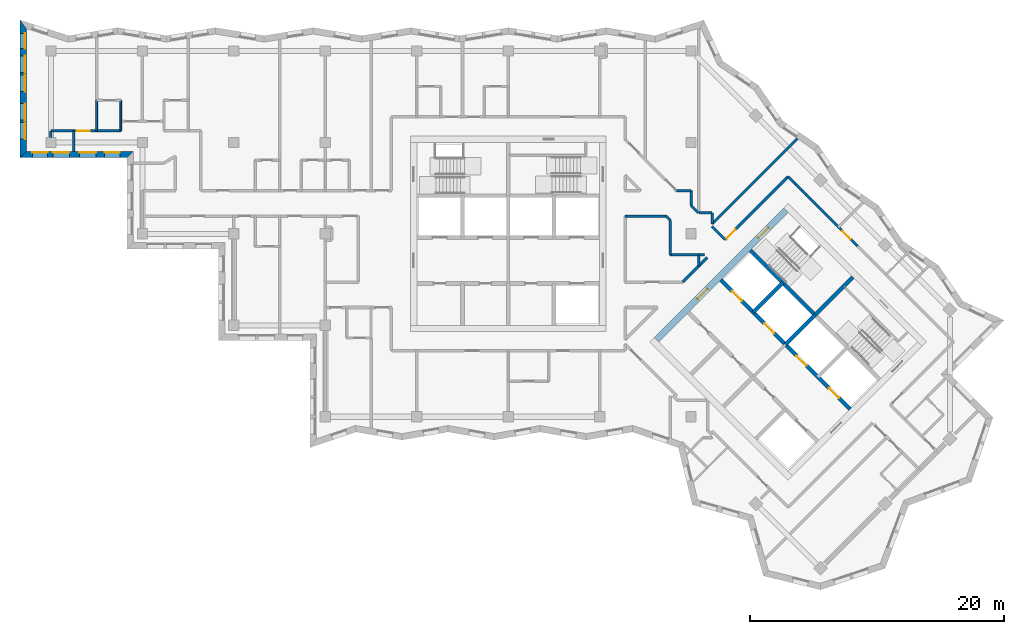
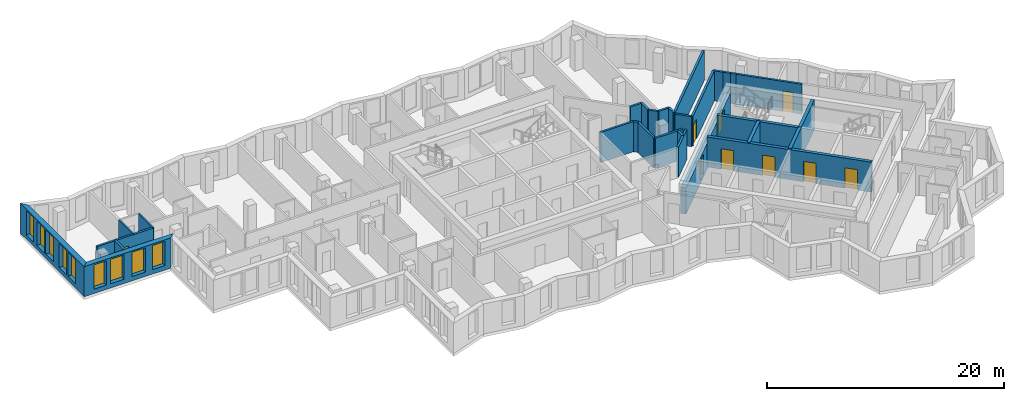
# One storey, part 5 of 12: 32 walls, 9 doors, 9 windows, 18 openings.
"""IFC4 building model written with IfcOpenShell, lengths in metres."""

from ifc_helpers import new_model, si_unit, direction, frame, frame_2d, origin, place, context, subcontext, project, spatial, polyline, rectangle, outline, extrude, material, layer, layer_set, type_object, element, fill, save


model = new_model("IFC4")

# Units and contexts
model_context = context("Model", 3, precision=1e-05, world=origin(), true_north=direction((0.0, 1.0)))
body_context = subcontext(model_context, "Body", "Model", "MODEL_VIEW")
ifc_project = project(units=[si_unit("LENGTHUNIT", "METRE"), si_unit("AREAUNIT", "SQUARE_METRE"), si_unit("VOLUMEUNIT", "CUBIC_METRE"), si_unit("PLANEANGLEUNIT", "RADIAN"), si_unit("MASSUNIT", "GRAM", prefix="KILO")], contexts=[model_context])

# Site, building, storey
site_placement = place(None, origin())
site = spatial("IfcSite", under=ifc_project, at=site_placement, CompositionType="ELEMENT")
building_placement = place(site_placement, origin())
building = spatial("IfcBuilding", under=site, at=building_placement, Name="Windrow Commons", CompositionType="ELEMENT")
storey_placement = place(building_placement, frame((0.0, 0.0, 227.0)))
storey = spatial("IfcBuildingStorey", under=building, at=storey_placement, Name="L62", CompositionType="ELEMENT", Elevation=227.0)

# Wall, openings, windows
ifc_material_1 = material(Name="Brick masonry, red clay brick", Category="masonry")
ifc_layer_1 = layer(ifc_material_1, 0.5)
ifc_layer_set_1 = layer_set([ifc_layer_1], Name="Brick facade wall 500")
wall_type_1 = type_object("IfcWallType", Name="Brick facade wall 500", PredefinedType="SOLIDWALL", material=ifc_layer_set_1)
wall_1_placement = place(storey_placement, frame((26.617, 74.0903, 0.0), z_axis=(0.0, 0.0, 1.0), x_axis=(0.0, -1.0, 0.0)))
wall_1 = element("IfcWall", 1, at=wall_1_placement, inside=storey, type_object=wall_type_1, Name="Brick facade wall L62 31", PredefinedType="SOLIDWALL", context=body_context, shape_type="SweptSolid", body=[
    extrude(outline(polyline([(-0.3427, -0.25), (10.4903, -0.25), (9.9903, 0.25), (0.3427, 0.25), (-0.3427, -0.25)])), origin(), (0.0, 0.0, 1.0), 3.1),
])
opening_1_placement = place(wall_1_placement, frame((2.4903, 0.0, 0.45)))
opening_1 = element("IfcOpeningElement", 2, at=opening_1_placement, cuts=wall_1, Name="Opening W1Q", PredefinedType="OPENING", context=body_context, shape_type="SweptSolid", body=[
    extrude(rectangle(XDim=1.3, YDim=2.5, at=frame_2d((0.65, 1.25))), frame((0.0, 0.26, 0.0), z_axis=(0.0, -1.0, 0.0), x_axis=(1.0, 0.0, 0.0)), (0.0, 0.0, 1.0), 0.52),
])
opening_2_placement = place(wall_1_placement, frame((3.9903, 0.0, 0.45)))
opening_2 = element("IfcOpeningElement", 3, at=opening_2_placement, cuts=wall_1, Name="Opening W1Q", PredefinedType="OPENING", context=body_context, shape_type="SweptSolid", body=[
    extrude(rectangle(XDim=1.3, YDim=2.5, at=frame_2d((0.65, 1.25))), frame((0.0, 0.26, 0.0), z_axis=(0.0, -1.0, 0.0), x_axis=(1.0, 0.0, 0.0)), (0.0, 0.0, 1.0), 0.52),
])
opening_3_placement = place(wall_1_placement, frame((6.2403, 0.0, 0.45)))
opening_3 = element("IfcOpeningElement", 4, at=opening_3_placement, cuts=wall_1, Name="Opening W1Q", PredefinedType="OPENING", context=body_context, shape_type="SweptSolid", body=[
    extrude(rectangle(XDim=1.3, YDim=2.5, at=frame_2d((0.65, 1.25))), frame((0.0, 0.26, 0.0), z_axis=(0.0, -1.0, 0.0), x_axis=(1.0, 0.0, 0.0)), (0.0, 0.0, 1.0), 0.52),
])
opening_4_placement = place(wall_1_placement, frame((7.7403, 0.0, 0.45)))
opening_4 = element("IfcOpeningElement", 5, at=opening_4_placement, cuts=wall_1, Name="Opening W1Q", PredefinedType="OPENING", context=body_context, shape_type="SweptSolid", body=[
    extrude(rectangle(XDim=1.3, YDim=2.5, at=frame_2d((0.65, 1.25))), frame((0.0, 0.26, 0.0), z_axis=(0.0, -1.0, 0.0), x_axis=(1.0, 0.0, 0.0)), (0.0, 0.0, 1.0), 0.52),
])
opening_5_placement = place(wall_1_placement, frame((0.7165, 0.0, 0.45)))
opening_5 = element("IfcOpeningElement", 6, at=opening_5_placement, cuts=wall_1, Name="Opening W7E", PredefinedType="OPENING", context=body_context, shape_type="SweptSolid", body=[
    extrude(rectangle(XDim=1.2, YDim=2.5, at=frame_2d((0.6, 1.25))), frame((0.0, 0.26, 0.0), z_axis=(0.0, -1.0, 0.0), x_axis=(1.0, 0.0, 0.0)), (0.0, 0.0, 1.0), 0.52),
])
ifc_material_2 = material(Name="Clear float glass in anodised aluminium frame", Category="aluminium")
window_type_1 = type_object("IfcWindowType", Name="Window W1Q pair 1300x2500", PartitioningType="SINGLE_PANEL", PredefinedType="WINDOW", material=ifc_material_2)
window_1_placement = place(opening_1_placement, origin())
window_1 = element("IfcWindow", 7, at=window_1_placement, inside=storey, type_object=window_type_1, Name="Window L62 31.1A", OverallHeight=2.5, OverallWidth=1.3, PartitioningType="SINGLE_PANEL", PredefinedType="WINDOW", context=body_context, shape_type="SweptSolid", body=[
    extrude(rectangle(XDim=1.3, YDim=2.5, at=frame_2d((0.65, 1.25))), frame((0.0, 0.18, 0.0), z_axis=(0.0, -1.0, 0.0), x_axis=(1.0, 0.0, 0.0)), (0.0, 0.0, 1.0), 0.06),
])
fill(opening_1, window_1)
window_2_placement = place(opening_2_placement, origin())
window_2 = element("IfcWindow", 8, at=window_2_placement, inside=storey, type_object=window_type_1, Name="Window L62 31.1B", OverallHeight=2.5, OverallWidth=1.3, PartitioningType="SINGLE_PANEL", PredefinedType="WINDOW", context=body_context, shape_type="SweptSolid", body=[
    extrude(rectangle(XDim=1.3, YDim=2.5, at=frame_2d((0.65, 1.25))), frame((0.0, 0.18, 0.0), z_axis=(0.0, -1.0, 0.0), x_axis=(1.0, 0.0, 0.0)), (0.0, 0.0, 1.0), 0.06),
])
fill(opening_2, window_2)
window_3_placement = place(opening_3_placement, origin())
window_3 = element("IfcWindow", 9, at=window_3_placement, inside=storey, type_object=window_type_1, Name="Window L62 31.2A", OverallHeight=2.5, OverallWidth=1.3, PartitioningType="SINGLE_PANEL", PredefinedType="WINDOW", context=body_context, shape_type="SweptSolid", body=[
    extrude(rectangle(XDim=1.3, YDim=2.5, at=frame_2d((0.65, 1.25))), frame((0.0, 0.18, 0.0), z_axis=(0.0, -1.0, 0.0), x_axis=(1.0, 0.0, 0.0)), (0.0, 0.0, 1.0), 0.06),
])
fill(opening_3, window_3)
window_4_placement = place(opening_4_placement, origin())
window_4 = element("IfcWindow", 10, at=window_4_placement, inside=storey, type_object=window_type_1, Name="Window L62 31.2B", OverallHeight=2.5, OverallWidth=1.3, PartitioningType="SINGLE_PANEL", PredefinedType="WINDOW", context=body_context, shape_type="SweptSolid", body=[
    extrude(rectangle(XDim=1.3, YDim=2.5, at=frame_2d((0.65, 1.25))), frame((0.0, 0.18, 0.0), z_axis=(0.0, -1.0, 0.0), x_axis=(1.0, 0.0, 0.0)), (0.0, 0.0, 1.0), 0.06),
])
fill(opening_4, window_4)
ifc_material_3 = material(Name="Clear float glass in anodised aluminium frame", Category="aluminium")
window_type_2 = type_object("IfcWindowType", Name="Window W7 notch 1200x2500", PartitioningType="SINGLE_PANEL", PredefinedType="WINDOW", material=ifc_material_3)
window_5_placement = place(opening_5_placement, origin())
window_5 = element("IfcWindow", 11, at=window_5_placement, inside=storey, type_object=window_type_2, Name="Window L62 31.3", OverallHeight=2.5, OverallWidth=1.2, PartitioningType="SINGLE_PANEL", PredefinedType="WINDOW", context=body_context, shape_type="SweptSolid", body=[
    extrude(rectangle(XDim=1.2, YDim=2.5, at=frame_2d((0.6, 1.25))), frame((0.0, 0.18, 0.0), z_axis=(0.0, -1.0, 0.0), x_axis=(1.0, 0.0, 0.0)), (0.0, 0.0, 1.0), 0.06),
])
fill(opening_5, window_5)

wall_2_placement = place(storey_placement, frame((26.617, 63.85, 0.0), z_axis=(0.0, 0.0, 1.0), x_axis=(1.0, 0.0, 0.0)))
wall_2 = element("IfcWall", 12, at=wall_2_placement, inside=storey, type_object=wall_type_1, Name="Brick facade wall L62 32", PredefinedType="SOLIDWALL", context=body_context, shape_type="SweptSolid", body=[
    extrude(outline(polyline([(-0.25, -0.25), (8.183, -0.25), (8.683, 0.25), (0.25, 0.25), (-0.25, -0.25)])), origin(), (0.0, 0.0, 1.0), 3.1),
])
opening_6_placement = place(wall_2_placement, frame((2.333, 0.0, 0.45)))
opening_6 = element("IfcOpeningElement", 13, at=opening_6_placement, cuts=wall_2, Name="Opening W1Q", PredefinedType="OPENING", context=body_context, shape_type="SweptSolid", body=[
    extrude(rectangle(XDim=1.3, YDim=2.5, at=frame_2d((0.65, 1.25))), frame((0.0, 0.26, 0.0), z_axis=(0.0, -1.0, 0.0), x_axis=(1.0, 0.0, 0.0)), (0.0, 0.0, 1.0), 0.52),
])
opening_7_placement = place(wall_2_placement, frame((4.433, 0.0, 0.45)))
opening_7 = element("IfcOpeningElement", 14, at=opening_7_placement, cuts=wall_2, Name="Opening W1Q", PredefinedType="OPENING", context=body_context, shape_type="SweptSolid", body=[
    extrude(rectangle(XDim=1.3, YDim=2.5, at=frame_2d((0.65, 1.25))), frame((0.0, 0.26, 0.0), z_axis=(0.0, -1.0, 0.0), x_axis=(1.0, 0.0, 0.0)), (0.0, 0.0, 1.0), 0.52),
])
opening_8_placement = place(wall_2_placement, frame((0.7165, 0.0, 0.45)))
opening_8 = element("IfcOpeningElement", 15, at=opening_8_placement, cuts=wall_2, Name="Opening W7E", PredefinedType="OPENING", context=body_context, shape_type="SweptSolid", body=[
    extrude(rectangle(XDim=1.2, YDim=2.5, at=frame_2d((0.6, 1.25))), frame((0.0, 0.26, 0.0), z_axis=(0.0, -1.0, 0.0), x_axis=(1.0, 0.0, 0.0)), (0.0, 0.0, 1.0), 0.52),
])
opening_9_placement = place(wall_2_placement, frame((6.408, 0.0, 0.45)))
opening_9 = element("IfcOpeningElement", 16, at=opening_9_placement, cuts=wall_2, Name="Opening W7E", PredefinedType="OPENING", context=body_context, shape_type="SweptSolid", body=[
    extrude(rectangle(XDim=1.2, YDim=2.5, at=frame_2d((0.6, 1.25))), frame((0.0, 0.26, 0.0), z_axis=(0.0, -1.0, 0.0), x_axis=(1.0, 0.0, 0.0)), (0.0, 0.0, 1.0), 0.52),
])
window_6_placement = place(opening_6_placement, origin())
window_6 = element("IfcWindow", 17, at=window_6_placement, inside=storey, type_object=window_type_1, Name="Window L62 32.1A", OverallHeight=2.5, OverallWidth=1.3, PartitioningType="SINGLE_PANEL", PredefinedType="WINDOW", context=body_context, shape_type="SweptSolid", body=[
    extrude(rectangle(XDim=1.3, YDim=2.5, at=frame_2d((0.65, 1.25))), frame((0.0, 0.18, 0.0), z_axis=(0.0, -1.0, 0.0), x_axis=(1.0, 0.0, 0.0)), (0.0, 0.0, 1.0), 0.06),
])
fill(opening_6, window_6)
window_7_placement = place(opening_7_placement, origin())
window_7 = element("IfcWindow", 18, at=window_7_placement, inside=storey, type_object=window_type_1, Name="Window L62 32.1B", OverallHeight=2.5, OverallWidth=1.3, PartitioningType="SINGLE_PANEL", PredefinedType="WINDOW", context=body_context, shape_type="SweptSolid", body=[
    extrude(rectangle(XDim=1.3, YDim=2.5, at=frame_2d((0.65, 1.25))), frame((0.0, 0.18, 0.0), z_axis=(0.0, -1.0, 0.0), x_axis=(1.0, 0.0, 0.0)), (0.0, 0.0, 1.0), 0.06),
])
fill(opening_7, window_7)
window_8_placement = place(opening_8_placement, origin())
window_8 = element("IfcWindow", 19, at=window_8_placement, inside=storey, type_object=window_type_2, Name="Window L62 32.2", OverallHeight=2.5, OverallWidth=1.2, PartitioningType="SINGLE_PANEL", PredefinedType="WINDOW", context=body_context, shape_type="SweptSolid", body=[
    extrude(rectangle(XDim=1.2, YDim=2.5, at=frame_2d((0.6, 1.25))), frame((0.0, 0.18, 0.0), z_axis=(0.0, -1.0, 0.0), x_axis=(1.0, 0.0, 0.0)), (0.0, 0.0, 1.0), 0.06),
])
fill(opening_8, window_8)
window_9_placement = place(opening_9_placement, origin())
window_9 = element("IfcWindow", 20, at=window_9_placement, inside=storey, type_object=window_type_2, Name="Window L62 32.3", OverallHeight=2.5, OverallWidth=1.2, PartitioningType="SINGLE_PANEL", PredefinedType="WINDOW", context=body_context, shape_type="SweptSolid", body=[
    extrude(rectangle(XDim=1.2, YDim=2.5, at=frame_2d((0.6, 1.25))), frame((0.0, 0.18, 0.0), z_axis=(0.0, -1.0, 0.0), x_axis=(1.0, 0.0, 0.0)), (0.0, 0.0, 1.0), 0.06),
])
fill(opening_9, window_9)

# Wall, opening, door
ifc_material_4 = material(Name="Blockwork partition", Category="masonry")
ifc_layer_2 = layer(ifc_material_4, 0.2)
ifc_layer_set_2 = layer_set([ifc_layer_2], Name="IW-CORRIDOR-200")
wall_type_2 = type_object("IfcWallType", Name="IW-CORRIDOR-200", PredefinedType="PARTITIONING", material=ifc_layer_set_2)
wall_3_placement = place(storey_placement, frame((81.8873, 57.1527, 0.0), z_axis=(0.0, 0.0, 1.0), x_axis=(0.7071067812, 0.7071067812, 0.0)))
wall_3 = element("IfcWall", 21, at=wall_3_placement, inside=storey, type_object=wall_type_2, Name="W-L62-W014", PredefinedType="PARTITIONING", context=body_context, shape_type="SweptSolid", body=[
    extrude(rectangle(XDim=6.9975, YDim=0.2, at=frame_2d((3.4987, 0.0))), origin(), (0.0, 0.0, 1.0), 3.1),
])
opening_10_placement = place(wall_3_placement, frame((0.1358, 0.0, 0.0)))
opening_10 = element("IfcOpeningElement", 22, at=opening_10_placement, cuts=wall_3, Name="Opening D310F", PredefinedType="OPENING", context=body_context, shape_type="SweptSolid", body=[
    extrude(rectangle(XDim=1.0, YDim=2.1, at=frame_2d((0.5, 1.05))), frame((0.0, 0.11, 0.0), z_axis=(0.0, -1.0, 0.0), x_axis=(1.0, 0.0, 0.0)), (0.0, 0.0, 1.0), 0.22),
])
ifc_material_5 = material(Name="Timber door leaf", Category="wood")
door_type_1 = type_object("IfcDoorType", Name="DT-AMENITY-1000", OperationType="SINGLE_SWING_LEFT", PredefinedType="DOOR", material=ifc_material_5)
door_1_placement = place(opening_10_placement, origin())
door_1 = element("IfcDoor", 23, at=door_1_placement, inside=storey, type_object=door_type_1, Name="D-L62-D033", OperationType="SINGLE_SWING_RIGHT", OverallHeight=2.1, OverallWidth=1.0, PredefinedType="DOOR", context=body_context, shape_type="SweptSolid", body=[
    extrude(rectangle(XDim=1.0, YDim=2.1, at=frame_2d((0.5, 1.05))), frame((0.0, 0.025, 0.0), z_axis=(0.0, -1.0, 0.0), x_axis=(1.0, 0.0, 0.0)), (0.0, 0.0, 1.0), 0.05),
])
fill(opening_10, door_1)

wall_4_placement = place(storey_placement, frame((88.2474, 60.6834, 0.0), z_axis=(0.0, 0.0, 1.0), x_axis=(0.7071067812, -0.7071067812, 0.0)))
wall_4 = element("IfcWall", 24, at=wall_4_placement, inside=storey, type_object=wall_type_2, Name="W-L62-W024", PredefinedType="PARTITIONING", context=body_context, shape_type="SweptSolid", body=[
    extrude(rectangle(XDim=5.7417, YDim=0.2, at=frame_2d((2.8708, 0.0))), origin(), (0.0, 0.0, 1.0), 3.1),
])
opening_11_placement = place(wall_4_placement, frame((4.0693, 0.0, 0.0)))
opening_11 = element("IfcOpeningElement", 25, at=opening_11_placement, cuts=wall_4, Name="Opening D109S", PredefinedType="OPENING", context=body_context, shape_type="SweptSolid", body=[
    extrude(rectangle(XDim=0.9, YDim=2.1, at=frame_2d((0.45, 1.05))), frame((0.0, 0.11, 0.0), z_axis=(0.0, -1.0, 0.0), x_axis=(1.0, 0.0, 0.0)), (0.0, 0.0, 1.0), 0.22),
])
ifc_material_6 = material(Name="Timber door leaf", Category="wood")
door_type_2 = type_object("IfcDoorType", Name="DT-BEDROOM-900", OperationType="SINGLE_SWING_LEFT", PredefinedType="DOOR", material=ifc_material_6)
door_2_placement = place(opening_11_placement, origin())
door_2 = element("IfcDoor", 26, at=door_2_placement, inside=storey, type_object=door_type_2, Name="D-L62-D035", OperationType="SINGLE_SWING_RIGHT", OverallHeight=2.1, OverallWidth=0.9, PredefinedType="DOOR", context=body_context, shape_type="SweptSolid", body=[
    extrude(rectangle(XDim=0.9, YDim=2.1, at=frame_2d((0.45, 1.05))), frame((0.0, 0.025, 0.0), z_axis=(0.0, -1.0, 0.0), x_axis=(1.0, 0.0, 0.0)), (0.0, 0.0, 1.0), 0.05),
])
fill(opening_11, door_2)

wall_5_placement = place(storey_placement, frame((30.6, 65.7, 0.0), z_axis=(0.0, 0.0, 1.0), x_axis=(1.0, 0.0, 0.0)))
wall_5 = element("IfcWall", 27, at=wall_5_placement, inside=storey, type_object=wall_type_2, Name="W-L62-W040", PredefinedType="PARTITIONING", context=body_context, shape_type="SweptSolid", body=[
    extrude(rectangle(XDim=3.7, YDim=0.2, at=frame_2d((1.85, 0.0))), origin(), (0.0, 0.0, 1.0), 3.1),
])
opening_12_placement = place(wall_5_placement, frame((0.24, 0.0, 0.0)))
opening_12 = element("IfcOpeningElement", 28, at=opening_12_placement, cuts=wall_5, Name="Opening D310F", PredefinedType="OPENING", context=body_context, shape_type="SweptSolid", body=[
    extrude(rectangle(XDim=1.0, YDim=2.1, at=frame_2d((0.5, 1.05))), frame((0.0, 0.11, 0.0), z_axis=(0.0, -1.0, 0.0), x_axis=(1.0, 0.0, 0.0)), (0.0, 0.0, 1.0), 0.22),
])
door_3_placement = place(opening_12_placement, origin())
door_3 = element("IfcDoor", 29, at=door_3_placement, inside=storey, type_object=door_type_1, Name="D-L62-D014", OperationType="SINGLE_SWING_RIGHT", OverallHeight=2.1, OverallWidth=1.0, PredefinedType="DOOR", context=body_context, shape_type="SweptSolid", body=[
    extrude(rectangle(XDim=1.0, YDim=2.1, at=frame_2d((0.5, 1.05))), frame((0.0, 0.025, 0.0), z_axis=(0.0, -1.0, 0.0), x_axis=(1.0, 0.0, 0.0)), (0.0, 0.0, 1.0), 0.05),
])
fill(opening_12, door_3)

# Walls
wall_6_placement = place(storey_placement, frame((74.002, 59.0, 0.0), z_axis=(0.0, 0.0, 1.0), x_axis=(1.0, 0.0, 0.0)))
element("IfcWall", 30, at=wall_6_placement, inside=storey, type_object=wall_type_2, Name="W-L62-W046", PredefinedType="PARTITIONING", context=body_context, shape_type="SweptSolid", body=[
    extrude(rectangle(XDim=3.206, YDim=0.2, at=frame_2d((1.603, 0.0))), origin(), (0.0, 0.0, 1.0), 3.1),
])
wall_7_placement = place(storey_placement, frame((78.5353, 53.8007, 0.0), z_axis=(0.0, 0.0, 1.0), x_axis=(0.7071067812, 0.7071067812, 0.0)))
element("IfcWall", 31, at=wall_7_placement, inside=storey, type_object=wall_type_2, Name="W-L62-W052", PredefinedType="PARTITIONING", context=body_context, shape_type="SweptSolid", body=[
    extrude(rectangle(XDim=2.7379, YDim=0.2, at=frame_2d((1.3689, 0.0))), origin(), (0.0, 0.0, 1.0), 3.1),
])
for number, where, z_axis, x_axis, name in (
    (32, (77.55, 55.952, 0.0), (0.0, 0.0, 1.0), (0.0, 1.0, 0.0), "W-L62-W053"),
    (33, (77.552, 55.95, 0.0), (0.0, 0.0, 1.0), (1.0, 0.0, 0.0), "W-L62-W054"),
):
    element("IfcWall", number, at=place(storey_placement, frame(where, z_axis=z_axis, x_axis=x_axis)), inside=storey, type_object=wall_type_2, Name=name, PredefinedType="PARTITIONING", context=body_context, shape_type="SweptSolid", body=[
        extrude(rectangle(XDim=2.706, YDim=0.2, at=frame_2d((1.353, 0.0))), origin(), (0.0, 0.0, 1.0), 3.1),
    ])
wall_8_placement = place(storey_placement, frame((30.6, 64.1, 0.0), z_axis=(0.0, 0.0, 1.0), x_axis=(0.0, 1.0, 0.0)))
element("IfcWall", 34, at=wall_8_placement, inside=storey, type_object=wall_type_2, Name="W-L62-W111", PredefinedType="PARTITIONING", context=body_context, shape_type="SweptSolid", body=[
    extrude(rectangle(XDim=1.6, YDim=0.2, at=frame_2d((0.8, 0.0))), origin(), (0.0, 0.0, 1.0), 3.1),
])
wall_9_placement = place(storey_placement, frame((80.8467, 58.1847, 0.0), z_axis=(0.0, 0.0, 1.0), x_axis=(0.7071067812, -0.7071067812, 0.0)))
element("IfcWall", 35, at=wall_9_placement, inside=storey, type_object=wall_type_2, Name="W-L62-W113", PredefinedType="PARTITIONING", context=body_context, shape_type="SweptSolid", body=[
    extrude(rectangle(XDim=1.4651, YDim=0.2, at=frame_2d((0.7326, 0.0))), origin(), (0.0, 0.0, 1.0), 3.1),
])
for number, where, z_axis, x_axis, name in (
    (36, (78.038, 61.0, 0.0), (0.0, 0.0, 1.0), (1.0, 0.0, 0.0), "W-L62-W117"),
    (37, (79.2, 59.838, 0.0), (0.0, 0.0, 1.0), (0.0, 1.0, 0.0), "W-L62-W118"),
):
    element("IfcWall", number, at=place(storey_placement, frame(where, z_axis=z_axis, x_axis=x_axis)), inside=storey, type_object=wall_type_2, Name=name, PredefinedType="PARTITIONING", context=body_context, shape_type="SweptSolid", body=[
        extrude(rectangle(XDim=1.162, YDim=0.2, at=frame_2d((0.581, 0.0))), origin(), (0.0, 0.0, 1.0), 3.1),
    ])
wall_10_placement = place(storey_placement, frame((79.8, 59.25, 0.0), z_axis=(0.0, 0.0, 1.0), x_axis=(1.0, 0.0, 0.0)))
element("IfcWall", 38, at=wall_10_placement, inside=storey, type_object=wall_type_2, Name="W-L62-W119", PredefinedType="PARTITIONING", context=body_context, shape_type="SweptSolid", body=[
    extrude(rectangle(XDim=1.05, YDim=0.2, at=frame_2d((0.525, 0.0))), origin(), (0.0, 0.0, 1.0), 3.1),
])
wall_11_placement = place(storey_placement, frame((80.85, 58.376, 0.0), z_axis=(0.0, 0.0, 1.0), x_axis=(0.0, 1.0, 0.0)))
element("IfcWall", 39, at=wall_11_placement, inside=storey, type_object=wall_type_2, Name="W-L62-W130", PredefinedType="PARTITIONING", context=body_context, shape_type="SweptSolid", body=[
    extrude(rectangle(XDim=0.874, YDim=0.2, at=frame_2d((0.437, 0.0))), origin(), (0.0, 0.0, 1.0), 3.1),
])
wall_12_placement = place(storey_placement, frame((86.8353, 62.0973, 0.0), z_axis=(0.0, 0.0, 1.0), x_axis=(0.7059370453, -0.7082745852, 0.0)))
element("IfcWall", 40, at=wall_12_placement, inside=storey, type_object=wall_type_2, Name="W-L62-W131", PredefinedType="PARTITIONING", context=body_context, shape_type="SweptSolid", body=[
    extrude(rectangle(XDim=0.8556, YDim=0.2, at=frame_2d((0.4278, 0.0))), origin(), (0.0, 0.0, 1.0), 3.1),
])
wall_13_placement = place(storey_placement, frame((79.1967, 59.8347, 0.0), z_axis=(0.0, 0.0, 1.0), x_axis=(0.7071067812, -0.7071067812, 0.0)))
element("IfcWall", 41, at=wall_13_placement, inside=storey, type_object=wall_type_2, Name="W-L62-W134", PredefinedType="PARTITIONING", context=body_context, shape_type="SweptSolid", body=[
    extrude(rectangle(XDim=0.8316, YDim=0.2, at=frame_2d((0.4158, 0.0))), origin(), (0.0, 0.0, 1.0), 3.1),
])
wall_14_placement = place(storey_placement, frame((87.4398, 61.4918, 0.0), z_axis=(0.0, 0.0, 1.0), x_axis=(0.7086591505, -0.7055509963, 0.0)))
element("IfcWall", 42, at=wall_14_placement, inside=storey, type_object=wall_type_2, Name="W-L62-W138", PredefinedType="PARTITIONING", context=body_context, shape_type="SweptSolid", body=[
    extrude(rectangle(XDim=0.6435, YDim=0.2, at=frame_2d((0.3217, 0.0))), origin(), (0.0, 0.0, 1.0), 3.1),
])
wall_15_placement = place(storey_placement, frame((87.8991, 61.0411, 0.0), z_axis=(0.0, 0.0, 1.0), x_axis=(0.7051008166, -0.7091070712, 0.0)))
element("IfcWall", 43, at=wall_15_placement, inside=storey, type_object=wall_type_2, Name="W-L62-W145", PredefinedType="PARTITIONING", context=body_context, shape_type="SweptSolid", body=[
    extrude(rectangle(XDim=0.4992, YDim=0.2, at=frame_2d((0.2496, 0.0))), origin(), (0.0, 0.0, 1.0), 3.1),
])
wall_16_placement = place(storey_placement, frame((77.2135, 59.0035, 0.0), z_axis=(0.0, 0.0, 1.0), x_axis=(0.7071067812, -0.7071067812, 0.0)))
element("IfcWall", 44, at=wall_16_placement, inside=storey, type_object=wall_type_2, Name="W-L62-W149", PredefinedType="PARTITIONING", context=body_context, shape_type="SweptSolid", body=[
    extrude(rectangle(XDim=0.4808, YDim=0.2, at=frame_2d((0.2404, 0.0))), origin(), (0.0, 0.0, 1.0), 3.1),
])
ifc_material_7 = material(Name="Blockwork partition", Category="masonry")
ifc_layer_3 = layer(ifc_material_7, 0.15)
ifc_layer_set_3 = layer_set([ifc_layer_3], Name="IW-ENSUITE-150")
wall_type_3 = type_object("IfcWallType", Name="IW-ENSUITE-150", PredefinedType="PARTITIONING", material=ifc_layer_set_3)
for number, where, z_axis, x_axis, name in (
    (45, (32.4, 65.7, 0.0), (0.0, 0.0, 1.0), (0.0, 1.0, 0.0), "W-L62-W080"),
    (46, (34.3, 65.7, 0.0), (0.0, 0.0, 1.0), (0.0, 1.0, 0.0), "W-L62-W081"),
):
    element("IfcWall", number, at=place(storey_placement, frame(where, z_axis=z_axis, x_axis=x_axis)), inside=storey, type_object=wall_type_3, Name=name, PredefinedType="PARTITIONING", context=body_context, shape_type="SweptSolid", body=[
        extrude(rectangle(XDim=2.4, YDim=0.15, at=frame_2d((1.2, 0.0))), origin(), (0.0, 0.0, 1.0), 3.1),
    ])
ifc_material_8 = material(Name="Blockwork partition", Category="masonry")
ifc_layer_4 = layer(ifc_material_8, 0.2)
ifc_layer_set_4 = layer_set([ifc_layer_4], Name="IW-PARTY-200")
wall_type_4 = type_object("IfcWallType", Name="IW-PARTY-200", PredefinedType="PARTITIONING", material=ifc_layer_set_4)
wall_17_placement = place(storey_placement, frame((80.8489, 58.3771, 0.0), z_axis=(0.0, 0.0, 1.0), x_axis=(0.7071120471, 0.7071015152, 0.0)))
element("IfcWall", 47, at=wall_17_placement, inside=storey, type_object=wall_type_4, Name="W-L62-W007", PredefinedType="PARTITIONING", context=body_context, shape_type="SweptSolid", body=[
    extrude(rectangle(XDim=9.495, YDim=0.2, at=frame_2d((4.7475, 0.0))), origin(), (0.0, 0.0, 1.0), 3.1),
])
wall_18_placement = place(storey_placement, frame((28.802, 65.7, 0.0), z_axis=(0.0, 0.0, 1.0), x_axis=(1.0, 0.0, 0.0)))
element("IfcWall", 48, at=wall_18_placement, inside=storey, type_object=wall_type_4, Name="W-L62-W108", PredefinedType="PARTITIONING", context=body_context, shape_type="SweptSolid", body=[
    extrude(rectangle(XDim=1.798, YDim=0.2, at=frame_2d((0.899, 0.0))), origin(), (0.0, 0.0, 1.0), 3.1),
])
wall_19_placement = place(storey_placement, frame((79.8, 55.064, 0.0), z_axis=(0.0, 0.0, 1.0), x_axis=(0.0, 1.0, 0.0)))
element("IfcWall", 49, at=wall_19_placement, inside=storey, type_object=wall_type_4, Name="W-L62-W129", PredefinedType="PARTITIONING", context=body_context, shape_type="SweptSolid", body=[
    extrude(rectangle(XDim=0.886, YDim=0.2, at=frame_2d((0.443, 0.0))), origin(), (0.0, 0.0, 1.0), 3.1),
])
wall_20_placement = place(storey_placement, frame((28.8, 65.2, 0.0), z_axis=(0.0, 0.0, 1.0), x_axis=(0.0, 1.0, 0.0)))
element("IfcWall", 50, at=wall_20_placement, inside=storey, type_object=wall_type_4, Name="W-L62-W146", PredefinedType="PARTITIONING", context=body_context, shape_type="SweptSolid", body=[
    extrude(rectangle(XDim=0.498, YDim=0.2, at=frame_2d((0.249, 0.0))), origin(), (0.0, 0.0, 1.0), 2.6),
])

# Wall, openings, doors
ifc_material_9 = material(Name="Concrete C40/50", Category="concrete")
ifc_layer_5 = layer(ifc_material_9, 0.5)
ifc_layer_set_5 = layer_set([ifc_layer_5], Name="RC CORE WALL 500 C40/50")
wall_type_5 = type_object("IfcWallType", Name="RC CORE WALL 500 C40/50", PredefinedType="SHEAR", material=ifc_layer_set_5)
wall_21_placement = place(storey_placement, frame((76.4776, 49.2665, -0.3), z_axis=(0.0, 0.0, 1.0), x_axis=(0.7071067812, 0.7071067812, 0.0)))
wall_21 = element("IfcWall", 51, at=wall_21_placement, inside=storey, type_object=wall_type_5, Name="Core B wall outer-W", PredefinedType="SHEAR", context=body_context, shape_type="SweptSolid", body=[
    extrude(rectangle(XDim=14.4001, YDim=0.5, at=frame_2d((7.2001, 0.0))), origin(), (0.0, 0.0, 1.0), 2.7),
])
opening_13_placement = place(wall_21_placement, frame((4.55, 0.0, 0.3)))
opening_13 = element("IfcOpeningElement", 52, at=opening_13_placement, cuts=wall_21, Name="Opening D6", PredefinedType="OPENING", context=body_context, shape_type="SweptSolid", body=[
    extrude(rectangle(XDim=1.1, YDim=2.1, at=frame_2d((0.55, 1.05))), frame((0.0, 0.26, 0.0), z_axis=(0.0, -1.0, 0.0), x_axis=(1.0, 0.0, 0.0)), (0.0, 0.0, 1.0), 0.52),
])
opening_14_placement = place(wall_21_placement, frame((11.35, 0.0, 0.3)))
opening_14 = element("IfcOpeningElement", 53, at=opening_14_placement, cuts=wall_21, Name="Opening D7", PredefinedType="OPENING", context=body_context, shape_type="SweptSolid", body=[
    extrude(rectangle(XDim=1.1, YDim=2.1, at=frame_2d((0.55, 1.05))), frame((0.0, 0.26, 0.0), z_axis=(0.0, -1.0, 0.0), x_axis=(1.0, 0.0, 0.0)), (0.0, 0.0, 1.0), 0.52),
])
ifc_material_10 = material(Name="Steel fire door leaf", Category="steel")
door_type_3 = type_object("IfcDoorType", Name="Core lobby door 1100", OperationType="SINGLE_SWING_LEFT", PredefinedType="DOOR", material=ifc_material_10)
door_4_placement = place(opening_13_placement, origin())
door_4 = element("IfcDoor", 54, at=door_4_placement, inside=storey, type_object=door_type_3, Name="Lift lobby door", OperationType="DOUBLE_DOOR_SINGLE_SWING", OverallHeight=2.1, OverallWidth=1.1, PredefinedType="DOOR", context=body_context, shape_type="SweptSolid", body=[
    extrude(rectangle(XDim=1.1, YDim=2.1, at=frame_2d((0.55, 1.05))), frame((0.0, 0.025, 0.0), z_axis=(0.0, -1.0, 0.0), x_axis=(1.0, 0.0, 0.0)), (0.0, 0.0, 1.0), 0.05),
])
fill(opening_13, door_4)
ifc_material_11 = material(Name="Steel fire door leaf", Category="steel")
door_type_4 = type_object("IfcDoorType", Name="Stair door 1100", OperationType="SINGLE_SWING_LEFT", PredefinedType="DOOR", material=ifc_material_11)
door_5_placement = place(opening_14_placement, origin())
door_5 = element("IfcDoor", 55, at=door_5_placement, inside=storey, type_object=door_type_4, Name="Stair door", OperationType="SINGLE_SWING_LEFT", OverallHeight=2.1, OverallWidth=1.1, PredefinedType="DOOR", context=body_context, shape_type="SweptSolid", body=[
    extrude(rectangle(XDim=1.1, YDim=2.1, at=frame_2d((0.55, 1.05))), frame((0.0, 0.025, 0.0), z_axis=(0.0, -1.0, 0.0), x_axis=(1.0, 0.0, 0.0)), (0.0, 0.0, 1.0), 0.05),
])
fill(opening_14, door_5)

# Walls
ifc_material_12 = material(Name="Concrete C40/50", Category="concrete")
ifc_layer_6 = layer(ifc_material_12, 0.3)
ifc_layer_set_6 = layer_set([ifc_layer_6], Name="RC SHAFT WALL 300 C40/50")
wall_type_6 = type_object("IfcWallType", Name="RC SHAFT WALL 300 C40/50", PredefinedType="SOLIDWALL", material=ifc_layer_set_6)
wall_22_placement = place(storey_placement, frame((84.079, 51.4232, 0.0), z_axis=(0.0, 0.0, 1.0), x_axis=(0.7071219326, 0.7070916295, 0.0)))
element("IfcWall", 56, at=wall_22_placement, inside=storey, type_object=wall_type_6, Name="Core B wall shaft-N1", PredefinedType="SOLIDWALL", context=body_context, shape_type="SweptSolid", body=[
    extrude(rectangle(XDim=3.3, YDim=0.3, at=frame_2d((1.65, 0.0))), origin(), (0.0, 0.0, 1.0), 3.1),
])
wall_23_placement = place(storey_placement, frame((86.6246, 48.8776, 0.0), z_axis=(0.0, 0.0, 1.0), x_axis=(0.7071067812, 0.7071067812, 0.0)))
element("IfcWall", 57, at=wall_23_placement, inside=storey, type_object=wall_type_6, Name="Core B wall shaft-N2", PredefinedType="SOLIDWALL", context=body_context, shape_type="SweptSolid", body=[
    extrude(rectangle(XDim=3.3001, YDim=0.3, at=frame_2d((1.6501, 0.0))), origin(), (0.0, 0.0, 1.0), 3.1),
])

# Wall, openings, doors
wall_24_placement = place(storey_placement, frame((81.5335, 53.9688, 0.0), z_axis=(0.0, 0.0, 1.0), x_axis=(0.707103309, -0.7071102534, 0.0)))
wall_24 = element("IfcWall", 58, at=wall_24_placement, inside=storey, type_object=wall_type_6, Name="Core B wall lobby-N", PredefinedType="SOLIDWALL", context=body_context, shape_type="SweptSolid", body=[
    extrude(rectangle(XDim=14.4, YDim=0.3, at=frame_2d((7.2, 0.0))), origin(), (0.0, 0.0, 1.0), 3.1),
])
opening_15_placement = place(wall_24_placement, frame((1.25, 0.0, 0.0)))
opening_15 = element("IfcOpeningElement", 59, at=opening_15_placement, cuts=wall_24, Name="Opening LD", PredefinedType="OPENING", context=body_context, shape_type="SweptSolid", body=[
    extrude(rectangle(XDim=1.1, YDim=2.1, at=frame_2d((0.55, 1.05))), frame((0.0, 0.16, 0.0), z_axis=(0.0, -1.0, 0.0), x_axis=(1.0, 0.0, 0.0)), (0.0, 0.0, 1.0), 0.32),
])
opening_16_placement = place(wall_24_placement, frame((4.85, 0.0, 0.0)))
opening_16 = element("IfcOpeningElement", 60, at=opening_16_placement, cuts=wall_24, Name="Opening LD", PredefinedType="OPENING", context=body_context, shape_type="SweptSolid", body=[
    extrude(rectangle(XDim=1.1, YDim=2.1, at=frame_2d((0.55, 1.05))), frame((0.0, 0.16, 0.0), z_axis=(0.0, -1.0, 0.0), x_axis=(1.0, 0.0, 0.0)), (0.0, 0.0, 1.0), 0.32),
])
opening_17_placement = place(wall_24_placement, frame((8.45, 0.0, 0.0)))
opening_17 = element("IfcOpeningElement", 61, at=opening_17_placement, cuts=wall_24, Name="Opening LD", PredefinedType="OPENING", context=body_context, shape_type="SweptSolid", body=[
    extrude(rectangle(XDim=1.1, YDim=2.1, at=frame_2d((0.55, 1.05))), frame((0.0, 0.16, 0.0), z_axis=(0.0, -1.0, 0.0), x_axis=(1.0, 0.0, 0.0)), (0.0, 0.0, 1.0), 0.32),
])
opening_18_placement = place(wall_24_placement, frame((12.05, 0.0, 0.0)))
opening_18 = element("IfcOpeningElement", 62, at=opening_18_placement, cuts=wall_24, Name="Opening LD", PredefinedType="OPENING", context=body_context, shape_type="SweptSolid", body=[
    extrude(rectangle(XDim=1.1, YDim=2.1, at=frame_2d((0.55, 1.05))), frame((0.0, 0.16, 0.0), z_axis=(0.0, -1.0, 0.0), x_axis=(1.0, 0.0, 0.0)), (0.0, 0.0, 1.0), 0.32),
])
ifc_material_13 = material(Name="Stainless steel door leaf", Category="steel")
door_type_5 = type_object("IfcDoorType", Name="Lift landing door 1100", OperationType="SLIDING_TO_LEFT", PredefinedType="DOOR", material=ifc_material_13)
door_6_placement = place(opening_15_placement, origin())
door_6 = element("IfcDoor", 63, at=door_6_placement, inside=storey, type_object=door_type_5, Name="Lift landing door", OperationType="SLIDING_TO_LEFT", OverallHeight=2.1, OverallWidth=1.1, PredefinedType="DOOR", context=body_context, shape_type="SweptSolid", body=[
    extrude(rectangle(XDim=1.1, YDim=2.1, at=frame_2d((0.55, 1.05))), frame((0.0, 0.025, 0.0), z_axis=(0.0, -1.0, 0.0), x_axis=(1.0, 0.0, 0.0)), (0.0, 0.0, 1.0), 0.05),
])
fill(opening_15, door_6)
door_7_placement = place(opening_16_placement, origin())
door_7 = element("IfcDoor", 64, at=door_7_placement, inside=storey, type_object=door_type_5, Name="Lift landing door", OperationType="SLIDING_TO_RIGHT", OverallHeight=2.1, OverallWidth=1.1, PredefinedType="DOOR", context=body_context, shape_type="SweptSolid", body=[
    extrude(rectangle(XDim=1.1, YDim=2.1, at=frame_2d((0.55, 1.05))), frame((0.0, 0.025, 0.0), z_axis=(0.0, -1.0, 0.0), x_axis=(1.0, 0.0, 0.0)), (0.0, 0.0, 1.0), 0.05),
])
fill(opening_16, door_7)
door_8_placement = place(opening_17_placement, origin())
door_8 = element("IfcDoor", 65, at=door_8_placement, inside=storey, type_object=door_type_5, Name="Lift landing door", OperationType="SLIDING_TO_LEFT", OverallHeight=2.1, OverallWidth=1.1, PredefinedType="DOOR", context=body_context, shape_type="SweptSolid", body=[
    extrude(rectangle(XDim=1.1, YDim=2.1, at=frame_2d((0.55, 1.05))), frame((0.0, 0.025, 0.0), z_axis=(0.0, -1.0, 0.0), x_axis=(1.0, 0.0, 0.0)), (0.0, 0.0, 1.0), 0.05),
])
fill(opening_17, door_8)
door_9_placement = place(opening_18_placement, origin())
door_9 = element("IfcDoor", 66, at=door_9_placement, inside=storey, type_object=door_type_5, Name="Lift landing door", OperationType="SLIDING_TO_RIGHT", OverallHeight=2.1, OverallWidth=1.1, PredefinedType="DOOR", context=body_context, shape_type="SweptSolid", body=[
    extrude(rectangle(XDim=1.1, YDim=2.1, at=frame_2d((0.55, 1.05))), frame((0.0, 0.025, 0.0), z_axis=(0.0, -1.0, 0.0), x_axis=(1.0, 0.0, 0.0)), (0.0, 0.0, 1.0), 0.05),
])
fill(opening_18, door_9)

# Walls
wall_25_placement = place(storey_placement, frame((83.8669, 56.3022, 0.0), z_axis=(0.0, 0.0, 1.0), x_axis=(0.7071137256, -0.7070998367, 0.0)))
element("IfcWall", 67, at=wall_25_placement, inside=storey, type_object=wall_type_6, Name="Core B wall stair-S", PredefinedType="SOLIDWALL", context=body_context, shape_type="SweptSolid", body=[
    extrude(rectangle(XDim=7.2, YDim=0.3, at=frame_2d((3.6, 0.0))), origin(), (0.0, 0.0, 1.0), 3.1),
])
wall_26_placement = place(storey_placement, frame((88.9581, 51.2111, 0.0), z_axis=(0.0, 0.0, 1.0), x_axis=(0.7071067812, 0.7071067812, 0.0)))
element("IfcWall", 68, at=wall_26_placement, inside=storey, type_object=wall_type_6, Name="Core B wall stair-mid", PredefinedType="SOLIDWALL", context=body_context, shape_type="SweptSolid", body=[
    extrude(rectangle(XDim=4.1999, YDim=0.3, at=frame_2d((2.1, 0.0))), origin(), (0.0, 0.0, 1.0), 3.1),
])

save(model, "model.ifc")
